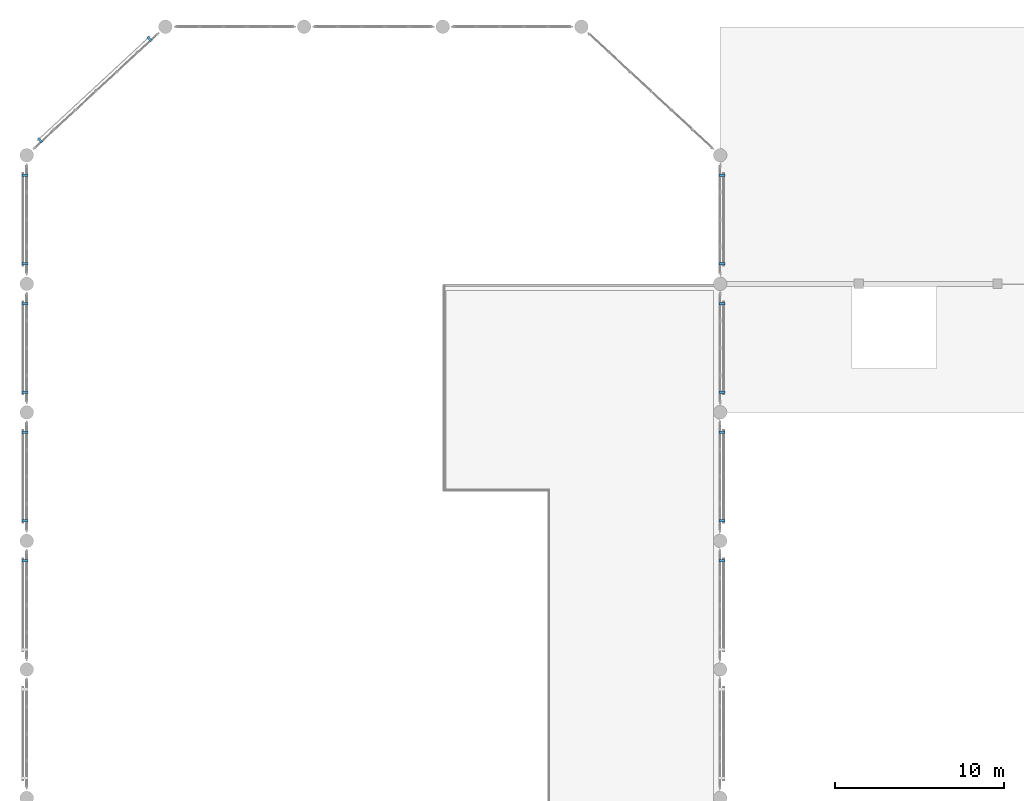
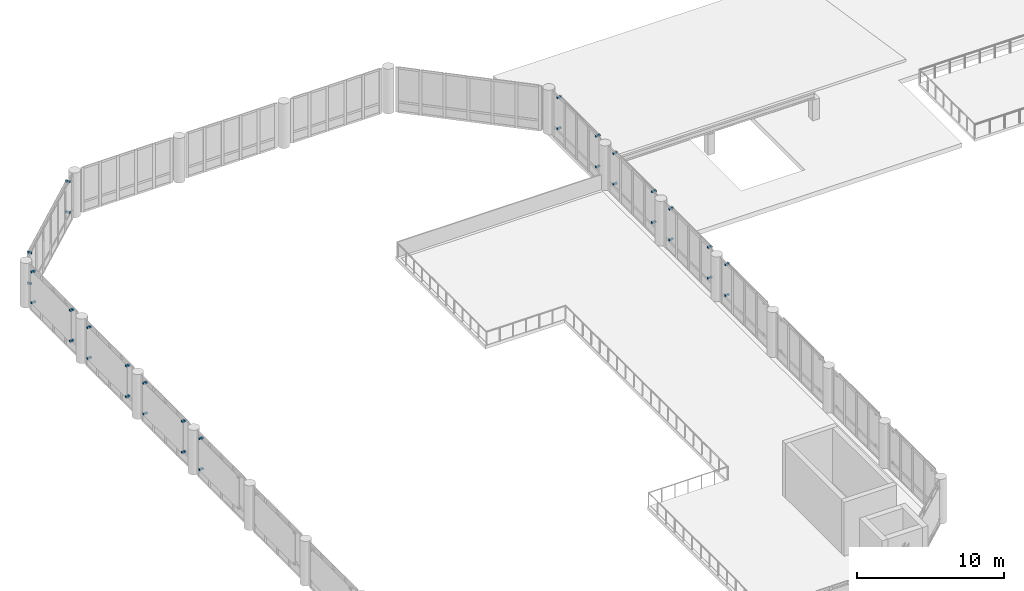
# One storey, part 43 of 49: 32 discrete accessories.
"""IFC4 building model written with IfcOpenShell, lengths in metres."""

from ifc_helpers import new_model, si_unit, direction, frame, origin, origin_2d, place, context, subcontext, project, spatial, rectangle, extrude, material, type_object, element, save


model = new_model("IFC4")

# Units and contexts
model_context = context("Model", 3, precision=1e-05, world=origin(), true_north=direction((0.0, 1.0)))
body_context = subcontext(model_context, "Body", "Model", "MODEL_VIEW")
ifc_project = project(units=[si_unit("LENGTHUNIT", "METRE"), si_unit("AREAUNIT", "SQUARE_METRE"), si_unit("VOLUMEUNIT", "CUBIC_METRE"), si_unit("PLANEANGLEUNIT", "RADIAN"), si_unit("MASSUNIT", "GRAM", prefix="KILO")], contexts=[model_context])

# Site, building, storey
site_placement = place(None, origin())
site = spatial("IfcSite", under=ifc_project, at=site_placement, CompositionType="ELEMENT")
building_placement = place(site_placement, origin())
building = spatial("IfcBuilding", under=site, at=building_placement, Name="Qandaris Square Conservatory and Botanical Centre", CompositionType="ELEMENT")
storey_placement = place(building_placement, frame((0.0, 0.0, 10.199951171875)))
storey = spatial("IfcBuildingStorey", under=building, at=storey_placement, Name="L02", CompositionType="ELEMENT", Elevation=10.199951171875)

# Discrete accessories
ifc_material = material(Name="Steel S355", Category="steel")
discrete_accessory_type = type_object("IfcDiscreteAccessoryType", Name="Mashrabiya Support Outrigger Bracket", PredefinedType="BRACKET", material=ifc_material)
for number, where, z_axis, x_axis, name in (
    (1, (57.31005859375, 83.820068359375, 0.89990234375), (0.0, 0.0, 1.0), (0.0, 1.0, 0.0), "Mashrabiya Bracket CW-CON-L02-3-4-BRK-58-112"),
    (2, (57.31005859375, 83.820068359375, 3.4501953125), (0.0, 0.0, 1.0), (0.0, 1.0, 0.0), "Mashrabiya Bracket CW-CON-L02-3-4-BRK-58-137"),
    (3, (57.31005859375, 86.179931640625, 0.89990234375), (0.0, 0.0, 1.0), (0.0, 1.0, 0.0), "Mashrabiya Bracket CW-CON-L02-3-5-BRK-6-112"),
    (4, (57.31005859375, 86.179931640625, 3.4501953125), (0.0, 0.0, 1.0), (0.0, 1.0, 0.0), "Mashrabiya Bracket CW-CON-L02-3-5-BRK-6-137"),
    (5, (57.31005859375, 91.419921875, 0.89990234375), (0.0, 0.0, 1.0), (0.0, 1.0, 0.0), "Mashrabiya Bracket CW-CON-L02-3-5-BRK-58-112"),
    (6, (57.31005859375, 91.419921875, 3.4501953125), (0.0, 0.0, 1.0), (0.0, 1.0, 0.0), "Mashrabiya Bracket CW-CON-L02-3-5-BRK-58-137"),
    (7, (57.31005859375, 93.780029296875, 0.89990234375), (0.0, 0.0, 1.0), (0.0, 1.0, 0.0), "Mashrabiya Bracket CW-CON-L02-3-6-BRK-6-112"),
    (8, (57.31005859375, 93.780029296875, 3.4501953125), (0.0, 0.0, 1.0), (0.0, 1.0, 0.0), "Mashrabiya Bracket CW-CON-L02-3-6-BRK-6-137"),
    (9, (57.31005859375, 99.02001953125, 0.89990234375), (0.0, 0.0, 1.0), (0.0, 1.0, 0.0), "Mashrabiya Bracket CW-CON-L02-3-6-BRK-58-112"),
    (10, (57.31005859375, 99.02001953125, 3.4501953125), (0.0, 0.0, 1.0), (0.0, 1.0, 0.0), "Mashrabiya Bracket CW-CON-L02-3-6-BRK-58-137"),
    (11, (57.31005859375, 101.3798828125, 0.89990234375), (0.0, 0.0, 1.0), (0.0, 1.0, 0.0), "Mashrabiya Bracket CW-CON-L02-3-7-BRK-6-112"),
    (12, (57.31005859375, 101.3798828125, 3.4501953125), (0.0, 0.0, 1.0), (0.0, 1.0, 0.0), "Mashrabiya Bracket CW-CON-L02-3-7-BRK-6-137"),
    (13, (57.31005859375, 106.6201171875, 0.89990234375), (0.0, 0.0, 1.0), (0.0, 1.0, 0.0), "Mashrabiya Bracket CW-CON-L02-3-7-BRK-58-112"),
    (14, (57.31005859375, 106.6201171875, 3.4501953125), (0.0, 0.0, 1.0), (0.0, 1.0, 0.0), "Mashrabiya Bracket CW-CON-L02-3-7-BRK-58-137"),
    (15, (23.459716796875, 114.678466796875, 0.89990234375), (0.0, 0.0, 1.0), (-0.733432966404, -0.679761784592, 0.0), "Mashrabiya Bracket CW-CON-L02-6-1-BRK-6-112"),
    (16, (23.459716796875, 114.678466796875, 3.4501953125), (0.0, 0.0, 1.0), (-0.733432966404, -0.679761784592, 0.0), "Mashrabiya Bracket CW-CON-L02-6-1-BRK-6-137"),
    (17, (16.99072265625, 108.682861328125, 0.89990234375), (0.0, 0.0, 1.0), (-0.733432966404, -0.679761784592, 0.0), "Mashrabiya Bracket CW-CON-L02-6-1-BRK-94-112"),
    (18, (16.99072265625, 108.682861328125, 3.4501953125), (0.0, 0.0, 1.0), (-0.733432966404, -0.679761784592, 0.0), "Mashrabiya Bracket CW-CON-L02-6-1-BRK-94-137"),
    (19, (16.090087890625, 106.6201171875, 0.89990234375), (0.0, 0.0, 1.0), (0.0, -1.0, 0.0), "Mashrabiya Bracket CW-CON-L02-7-1-BRK-6-112"),
    (20, (16.090087890625, 106.6201171875, 3.4501953125), (0.0, 0.0, 1.0), (0.0, -1.0, 0.0), "Mashrabiya Bracket CW-CON-L02-7-1-BRK-6-137"),
    (21, (16.090087890625, 101.3798828125, 0.89990234375), (0.0, 0.0, 1.0), (0.0, -1.0, 0.0), "Mashrabiya Bracket CW-CON-L02-7-1-BRK-58-112"),
    (22, (16.090087890625, 101.3798828125, 3.4501953125), (0.0, 0.0, 1.0), (0.0, -1.0, 0.0), "Mashrabiya Bracket CW-CON-L02-7-1-BRK-58-137"),
    (23, (16.090087890625, 99.02001953125, 0.89990234375), (0.0, 0.0, 1.0), (0.0, -1.0, 0.0), "Mashrabiya Bracket CW-CON-L02-7-2-BRK-6-112"),
    (24, (16.090087890625, 99.02001953125, 3.4501953125), (0.0, 0.0, 1.0), (0.0, -1.0, 0.0), "Mashrabiya Bracket CW-CON-L02-7-2-BRK-6-137"),
    (25, (16.090087890625, 93.780029296875, 0.89990234375), (0.0, 0.0, 1.0), (0.0, -1.0, 0.0), "Mashrabiya Bracket CW-CON-L02-7-2-BRK-58-112"),
    (26, (16.090087890625, 93.780029296875, 3.4501953125), (0.0, 0.0, 1.0), (0.0, -1.0, 0.0), "Mashrabiya Bracket CW-CON-L02-7-2-BRK-58-137"),
    (27, (16.090087890625, 91.419921875, 0.89990234375), (0.0, 0.0, 1.0), (0.0, -1.0, 0.0), "Mashrabiya Bracket CW-CON-L02-7-3-BRK-6-112"),
    (28, (16.090087890625, 91.419921875, 3.4501953125), (0.0, 0.0, 1.0), (0.0, -1.0, 0.0), "Mashrabiya Bracket CW-CON-L02-7-3-BRK-6-137"),
    (29, (16.090087890625, 86.179931640625, 0.89990234375), (0.0, 0.0, 1.0), (0.0, -1.0, 0.0), "Mashrabiya Bracket CW-CON-L02-7-3-BRK-58-112"),
    (30, (16.090087890625, 86.179931640625, 3.4501953125), (0.0, 0.0, 1.0), (0.0, -1.0, 0.0), "Mashrabiya Bracket CW-CON-L02-7-3-BRK-58-137"),
    (31, (16.090087890625, 83.820068359375, 0.89990234375), (0.0, 0.0, 1.0), (0.0, -1.0, 0.0), "Mashrabiya Bracket CW-CON-L02-7-4-BRK-6-112"),
    (32, (16.090087890625, 83.820068359375, 3.4501953125), (0.0, 0.0, 1.0), (0.0, -1.0, 0.0), "Mashrabiya Bracket CW-CON-L02-7-4-BRK-6-137"),
):
    element("IfcDiscreteAccessory", number, at=place(storey_placement, frame(where, z_axis=z_axis, x_axis=x_axis)), inside=storey, type_object=discrete_accessory_type, Name=name, PredefinedType="BRACKET", context=body_context, shape_type="SweptSolid", body=[
        extrude(rectangle(XDim=0.139892578125, YDim=0.340087890625, at=origin_2d()), origin(), (0.0, 0.0, 1.0), 0.139892578125),
    ])

save(model, "model.ifc")
